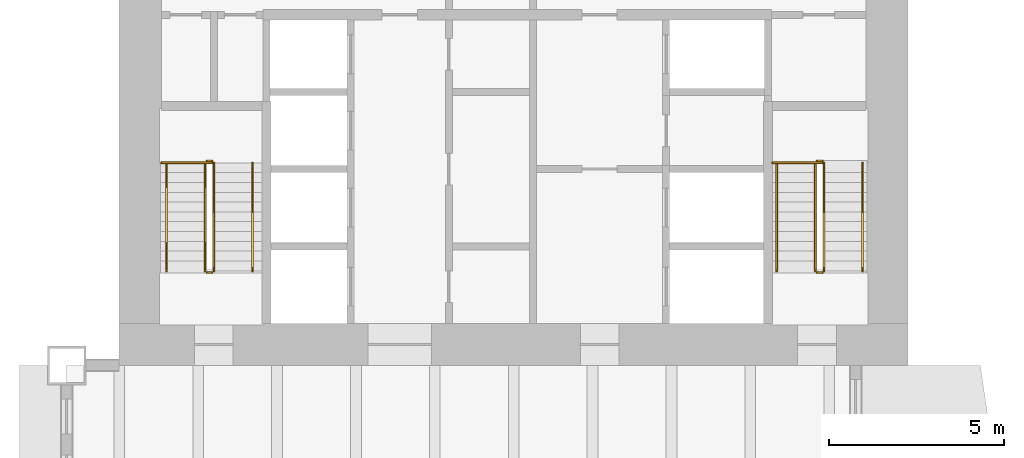
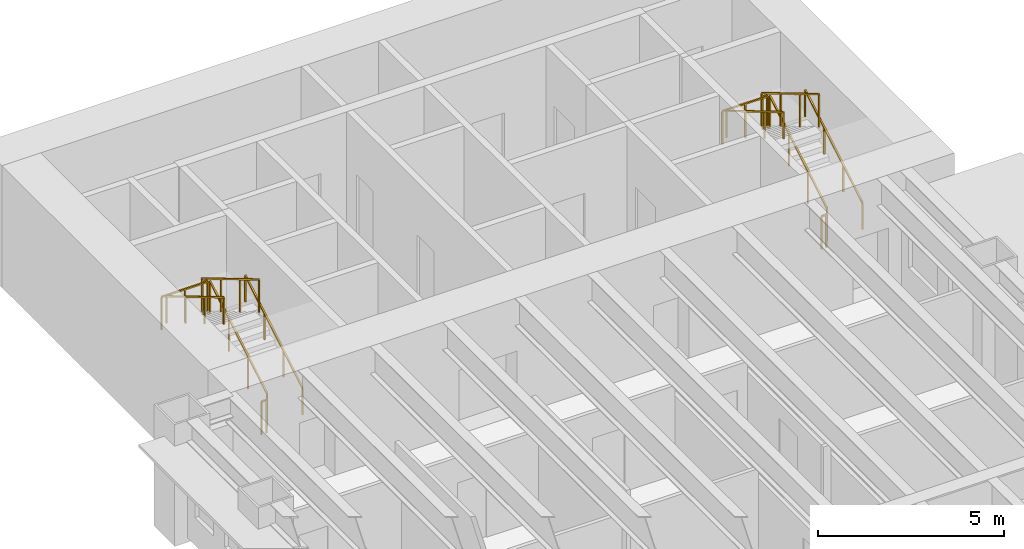
# One storey, part 17 of 17: 14 railings.
"""IFC4 building model written with IfcOpenShell, lengths in metres."""

from ifc_helpers import new_model, si_unit, direction, frame, origin, origin_2d, place, context, subcontext, project, spatial, rectangle, extrude, material, type_object, element, save


model = new_model("IFC4")

# Units and contexts
model_context = context("Model", 3, precision=1e-05, world=origin(), true_north=direction((0.0, 1.0)))
body_context = subcontext(model_context, "Body", "Model", "MODEL_VIEW")
ifc_project = project(units=[si_unit("LENGTHUNIT", "METRE"), si_unit("AREAUNIT", "SQUARE_METRE"), si_unit("VOLUMEUNIT", "CUBIC_METRE"), si_unit("PLANEANGLEUNIT", "RADIAN"), si_unit("MASSUNIT", "GRAM", prefix="KILO")], contexts=[model_context])

# Site, building, storey
site_placement = place(None, origin())
site = spatial("IfcSite", under=ifc_project, at=site_placement, CompositionType="ELEMENT")
building_placement = place(site_placement, origin())
building = spatial("IfcBuilding", under=site, at=building_placement, Name="Sennacour Bend Tower", CompositionType="ELEMENT")
storey_placement = place(building_placement, frame((0.0, 0.0, 53.0)))
storey = spatial("IfcBuildingStorey", under=building, at=storey_placement, Name="L11", CompositionType="ELEMENT", Elevation=53.0)

# Railings
ifc_material = material(Name="Stainless steel", Category="steel")
railing_type_1 = type_object("IfcRailingType", Name="RL-GUARD-1100", PredefinedType="GUARDRAIL", material=ifc_material)
railing_1_placement = place(storey_placement, frame((2.699951171875, 38.699951171875, 0.166748046875)))
element("IfcRailing", 1, at=railing_1_placement, inside=storey, type_object=railing_type_1, Name="L11 SB1 stair guard 1", PredefinedType="GUARDRAIL", context=body_context, shape_type="SweptSolid", body=[
    extrude(rectangle(XDim=0.048095703125, YDim=0.048095703125, at=origin_2d()), frame((0.0, 0.0, 1.076171875), z_axis=(0.0, 0.859308565015, 0.511457515432), x_axis=(-1.0, 0.0, 0.0)), (0.0, 0.0, 1.0), 3.58447265625),
    extrude(rectangle(XDim=0.0419921875, YDim=0.0419921875, at=origin_2d()), origin(), (0.0, 0.0, 1.0), 1.052001953125),
    extrude(rectangle(XDim=0.0419921875, YDim=0.0419921875, at=origin_2d()), frame((0.0, 1.026611328125, 0.611083984375)), (0.0, 0.0, 1.0), 1.052001953125),
    extrude(rectangle(XDim=0.0419921875, YDim=0.0419921875, at=origin_2d()), frame((0.0, 2.053466796875, 1.22216796875)), (0.0, 0.0, 1.0), 1.052001953125),
    extrude(rectangle(XDim=0.0419921875, YDim=0.0419921875, at=origin_2d()), frame((0.0, 3.080078125, 1.833251953125)), (0.0, 0.0, 1.0), 1.052001953125),
])
railing_2_placement = place(storey_placement, frame((2.64990234375, 41.830078125, 2.0)))
element("IfcRailing", 2, at=railing_2_placement, inside=storey, type_object=railing_type_1, Name="L11 SB1 stair guard 2", PredefinedType="GUARDRAIL", context=body_context, shape_type="SweptSolid", body=[
    extrude(rectangle(XDim=0.048095703125, YDim=0.048095703125, at=origin_2d()), frame((0.0, 0.0, 1.076171875), z_axis=(-1.0, 0.0, 0.0), x_axis=(0.0, -1.0, 0.0)), (0.0, 0.0, 1.0), 0.14990234375),
    extrude(rectangle(XDim=0.0419921875, YDim=0.0419921875, at=origin_2d()), origin(), (0.0, 0.0, 1.0), 1.052001953125),
    extrude(rectangle(XDim=0.0419921875, YDim=0.0419921875, at=origin_2d()), frame((-0.14990234375, 0.0, 0.0)), (0.0, 0.0, 1.0), 1.052001953125),
])
railing_3_placement = place(storey_placement, frame((2.449951171875, 41.780029296875, 2.166748046875)))
element("IfcRailing", 3, at=railing_3_placement, inside=storey, type_object=railing_type_1, Name="L11 SB1 stair guard 4", PredefinedType="GUARDRAIL", context=body_context, shape_type="SweptSolid", body=[
    extrude(rectangle(XDim=0.048095703125, YDim=0.048095703125, at=origin_2d()), frame((0.0, 0.0, 1.076171875), z_axis=(0.0, -0.859308565015, 0.511457515432), x_axis=(1.0, 0.0, 0.0)), (0.0, 0.0, 1.0), 3.58447265625),
    extrude(rectangle(XDim=0.0419921875, YDim=0.0419921875, at=origin_2d()), origin(), (0.0, 0.0, 1.0), 1.052001953125),
    extrude(rectangle(XDim=0.0419921875, YDim=0.0419921875, at=origin_2d()), frame((0.0, -1.026611328125, 0.611083984375)), (0.0, 0.0, 1.0), 1.052001953125),
    extrude(rectangle(XDim=0.0419921875, YDim=0.0419921875, at=origin_2d()), frame((0.0, -2.053466796875, 1.22216796875)), (0.0, 0.0, 1.0), 1.052001953125),
    extrude(rectangle(XDim=0.0419921875, YDim=0.0419921875, at=origin_2d()), frame((0.0, -3.080078125, 1.833251953125)), (0.0, 0.0, 1.0), 1.052001953125),
])
railing_4_placement = place(storey_placement, frame((2.64990234375, 38.64990234375, 0.0)))
element("IfcRailing", 4, at=railing_4_placement, inside=storey, type_object=railing_type_1, Name="L11 SB1 stair guard 5", PredefinedType="GUARDRAIL", context=body_context, shape_type="SweptSolid", body=[
    extrude(rectangle(XDim=0.048095703125, YDim=0.048095703125, at=origin_2d()), frame((0.0, 0.0, 1.076171875), z_axis=(-1.0, 0.0, 0.0), x_axis=(0.0, -1.0, 0.0)), (0.0, 0.0, 1.0), 0.14990234375),
    extrude(rectangle(XDim=0.0419921875, YDim=0.0419921875, at=origin_2d()), origin(), (0.0, 0.0, 1.0), 1.052001953125),
    extrude(rectangle(XDim=0.0419921875, YDim=0.0419921875, at=origin_2d()), frame((-0.14990234375, 0.0, 0.0)), (0.0, 0.0, 1.0), 1.052001953125),
])
railing_5_placement = place(storey_placement, frame((2.64990234375, 41.780029296875, 2.0)))
element("IfcRailing", 5, at=railing_5_placement, inside=storey, type_object=railing_type_1, Name="L11 SB1 landing edge guard 30", PredefinedType="GUARDRAIL", context=body_context, shape_type="SweptSolid", body=[
    extrude(rectangle(XDim=0.048095703125, YDim=0.048095703125, at=origin_2d()), frame((0.0, 0.0, 1.076171875), z_axis=(-1.0, 0.0, 0.0), x_axis=(0.0, -1.0, 0.0)), (0.0, 0.0, 1.0), 1.449951171875),
    extrude(rectangle(XDim=0.0419921875, YDim=0.0419921875, at=origin_2d()), origin(), (0.0, 0.0, 1.0), 1.052001953125),
    extrude(rectangle(XDim=0.0419921875, YDim=0.0419921875, at=origin_2d()), frame((-0.72509765625, 0.0, 0.0)), (0.0, 0.0, 1.0), 1.052001953125),
    extrude(rectangle(XDim=0.0419921875, YDim=0.0419921875, at=origin_2d()), frame((-1.449951171875, 0.0, 0.0)), (0.0, 0.0, 1.0), 1.052001953125),
])
railing_6_placement = place(storey_placement, frame((20.10009765625, 38.699951171875, 0.166748046875)))
element("IfcRailing", 6, at=railing_6_placement, inside=storey, type_object=railing_type_1, Name="L11 SB2 stair guard 1", PredefinedType="GUARDRAIL", context=body_context, shape_type="SweptSolid", body=[
    extrude(rectangle(XDim=0.048095703125, YDim=0.048095703125, at=origin_2d()), frame((0.0, 0.0, 1.076171875), z_axis=(0.0, 0.859308565015, 0.511457515432), x_axis=(-1.0, 0.0, 0.0)), (0.0, 0.0, 1.0), 3.58447265625),
    extrude(rectangle(XDim=0.0419921875, YDim=0.0419921875, at=origin_2d()), origin(), (0.0, 0.0, 1.0), 1.052001953125),
    extrude(rectangle(XDim=0.0419921875, YDim=0.0419921875, at=origin_2d()), frame((0.0, 1.026611328125, 0.611083984375)), (0.0, 0.0, 1.0), 1.052001953125),
    extrude(rectangle(XDim=0.0419921875, YDim=0.0419921875, at=origin_2d()), frame((0.0, 2.053466796875, 1.22216796875)), (0.0, 0.0, 1.0), 1.052001953125),
    extrude(rectangle(XDim=0.0419921875, YDim=0.0419921875, at=origin_2d()), frame((0.0, 3.080078125, 1.833251953125)), (0.0, 0.0, 1.0), 1.052001953125),
])
railing_7_placement = place(storey_placement, frame((20.050048828125, 41.830078125, 2.0)))
element("IfcRailing", 7, at=railing_7_placement, inside=storey, type_object=railing_type_1, Name="L11 SB2 stair guard 2", PredefinedType="GUARDRAIL", context=body_context, shape_type="SweptSolid", body=[
    extrude(rectangle(XDim=0.048095703125, YDim=0.048095703125, at=origin_2d()), frame((0.0, 0.0, 1.076171875), z_axis=(-1.0, 0.0, 0.0), x_axis=(0.0, -1.0, 0.0)), (0.0, 0.0, 1.0), 0.150146484375),
    extrude(rectangle(XDim=0.0419921875, YDim=0.0419921875, at=origin_2d()), origin(), (0.0, 0.0, 1.0), 1.052001953125),
    extrude(rectangle(XDim=0.0419921875, YDim=0.0419921875, at=origin_2d()), frame((-0.150146484375, 0.0, 0.0)), (0.0, 0.0, 1.0), 1.052001953125),
])
railing_8_placement = place(storey_placement, frame((19.85009765625, 41.780029296875, 2.166748046875)))
element("IfcRailing", 8, at=railing_8_placement, inside=storey, type_object=railing_type_1, Name="L11 SB2 stair guard 4", PredefinedType="GUARDRAIL", context=body_context, shape_type="SweptSolid", body=[
    extrude(rectangle(XDim=0.048095703125, YDim=0.048095703125, at=origin_2d()), frame((0.0, 0.0, 1.076171875), z_axis=(0.0, -0.859308565015, 0.511457515432), x_axis=(1.0, 0.0, 0.0)), (0.0, 0.0, 1.0), 3.58447265625),
    extrude(rectangle(XDim=0.0419921875, YDim=0.0419921875, at=origin_2d()), origin(), (0.0, 0.0, 1.0), 1.052001953125),
    extrude(rectangle(XDim=0.0419921875, YDim=0.0419921875, at=origin_2d()), frame((0.0, -1.026611328125, 0.611083984375)), (0.0, 0.0, 1.0), 1.052001953125),
    extrude(rectangle(XDim=0.0419921875, YDim=0.0419921875, at=origin_2d()), frame((0.0, -2.053466796875, 1.22216796875)), (0.0, 0.0, 1.0), 1.052001953125),
    extrude(rectangle(XDim=0.0419921875, YDim=0.0419921875, at=origin_2d()), frame((0.0, -3.080078125, 1.833251953125)), (0.0, 0.0, 1.0), 1.052001953125),
])
railing_9_placement = place(storey_placement, frame((20.050048828125, 38.64990234375, 0.0)))
element("IfcRailing", 9, at=railing_9_placement, inside=storey, type_object=railing_type_1, Name="L11 SB2 stair guard 5", PredefinedType="GUARDRAIL", context=body_context, shape_type="SweptSolid", body=[
    extrude(rectangle(XDim=0.048095703125, YDim=0.048095703125, at=origin_2d()), frame((0.0, 0.0, 1.076171875), z_axis=(-1.0, 0.0, 0.0), x_axis=(0.0, -1.0, 0.0)), (0.0, 0.0, 1.0), 0.150146484375),
    extrude(rectangle(XDim=0.0419921875, YDim=0.0419921875, at=origin_2d()), origin(), (0.0, 0.0, 1.0), 1.052001953125),
    extrude(rectangle(XDim=0.0419921875, YDim=0.0419921875, at=origin_2d()), frame((-0.150146484375, 0.0, 0.0)), (0.0, 0.0, 1.0), 1.052001953125),
])
railing_10_placement = place(storey_placement, frame((20.050048828125, 41.780029296875, 2.0)))
element("IfcRailing", 10, at=railing_10_placement, inside=storey, type_object=railing_type_1, Name="L11 SB2 landing edge guard 22", PredefinedType="GUARDRAIL", context=body_context, shape_type="SweptSolid", body=[
    extrude(rectangle(XDim=0.048095703125, YDim=0.048095703125, at=origin_2d()), frame((0.0, 0.0, 1.076171875), z_axis=(-1.0, 0.0, 0.0), x_axis=(0.0, -1.0, 0.0)), (0.0, 0.0, 1.0), 1.425048828125),
    extrude(rectangle(XDim=0.0419921875, YDim=0.0419921875, at=origin_2d()), origin(), (0.0, 0.0, 1.0), 1.052001953125),
    extrude(rectangle(XDim=0.0419921875, YDim=0.0419921875, at=origin_2d()), frame((-0.71240234375, 0.0, 0.0)), (0.0, 0.0, 1.0), 1.052001953125),
    extrude(rectangle(XDim=0.0419921875, YDim=0.0419921875, at=origin_2d()), frame((-1.425048828125, 0.0, 0.0)), (0.0, 0.0, 1.0), 1.052001953125),
])
railing_type_2 = type_object("IfcRailingType", Name="RL-HANDRAIL-900", PredefinedType="HANDRAIL", material=ifc_material)
railing_11_placement = place(storey_placement, frame((3.800048828125, 38.699951171875, 0.166748046875)))
element("IfcRailing", 11, at=railing_11_placement, inside=storey, type_object=railing_type_2, Name="L11 SB1 stair handrail 1", PredefinedType="HANDRAIL", context=body_context, shape_type="SweptSolid", body=[
    extrude(rectangle(XDim=0.048095703125, YDim=0.048095703125, at=origin_2d()), frame((0.0, 0.0, 0.8759765625), z_axis=(0.0, 0.859308565015, 0.511457515432), x_axis=(-1.0, 0.0, 0.0)), (0.0, 0.0, 1.0), 3.58447265625),
    extrude(rectangle(XDim=0.0419921875, YDim=0.0419921875, at=origin_2d()), origin(), (0.0, 0.0, 1.0), 0.851806640625),
    extrude(rectangle(XDim=0.0419921875, YDim=0.0419921875, at=origin_2d()), frame((0.0, 1.026611328125, 0.611083984375)), (0.0, 0.0, 1.0), 0.851806640625),
    extrude(rectangle(XDim=0.0419921875, YDim=0.0419921875, at=origin_2d()), frame((0.0, 2.053466796875, 1.22216796875)), (0.0, 0.0, 1.0), 0.851806640625),
    extrude(rectangle(XDim=0.0419921875, YDim=0.0419921875, at=origin_2d()), frame((0.0, 3.080078125, 1.833251953125)), (0.0, 0.0, 1.0), 0.851806640625),
])
railing_12_placement = place(storey_placement, frame((1.35009765625, 41.780029296875, 2.166748046875)))
element("IfcRailing", 12, at=railing_12_placement, inside=storey, type_object=railing_type_2, Name="L11 SB1 stair handrail 2", PredefinedType="HANDRAIL", context=body_context, shape_type="SweptSolid", body=[
    extrude(rectangle(XDim=0.048095703125, YDim=0.048095703125, at=origin_2d()), frame((0.0, 0.0, 0.8759765625), z_axis=(0.0, -0.859308565015, 0.511457515432), x_axis=(1.0, 0.0, 0.0)), (0.0, 0.0, 1.0), 3.58447265625),
    extrude(rectangle(XDim=0.0419921875, YDim=0.0419921875, at=origin_2d()), origin(), (0.0, 0.0, 1.0), 0.851806640625),
    extrude(rectangle(XDim=0.0419921875, YDim=0.0419921875, at=origin_2d()), frame((0.0, -1.026611328125, 0.611083984375)), (0.0, 0.0, 1.0), 0.851806640625),
    extrude(rectangle(XDim=0.0419921875, YDim=0.0419921875, at=origin_2d()), frame((0.0, -2.053466796875, 1.22216796875)), (0.0, 0.0, 1.0), 0.851806640625),
    extrude(rectangle(XDim=0.0419921875, YDim=0.0419921875, at=origin_2d()), frame((0.0, -3.080078125, 1.833251953125)), (0.0, 0.0, 1.0), 0.851806640625),
])
railing_13_placement = place(storey_placement, frame((21.199951171875, 38.699951171875, 0.166748046875)))
element("IfcRailing", 13, at=railing_13_placement, inside=storey, type_object=railing_type_2, Name="L11 SB2 stair handrail 1", PredefinedType="HANDRAIL", context=body_context, shape_type="SweptSolid", body=[
    extrude(rectangle(XDim=0.048095703125, YDim=0.048095703125, at=origin_2d()), frame((0.0, 0.0, 0.8759765625), z_axis=(0.0, 0.859308565015, 0.511457515432), x_axis=(-1.0, 0.0, 0.0)), (0.0, 0.0, 1.0), 3.58447265625),
    extrude(rectangle(XDim=0.0419921875, YDim=0.0419921875, at=origin_2d()), origin(), (0.0, 0.0, 1.0), 0.851806640625),
    extrude(rectangle(XDim=0.0419921875, YDim=0.0419921875, at=origin_2d()), frame((0.0, 1.026611328125, 0.611083984375)), (0.0, 0.0, 1.0), 0.851806640625),
    extrude(rectangle(XDim=0.0419921875, YDim=0.0419921875, at=origin_2d()), frame((0.0, 2.053466796875, 1.22216796875)), (0.0, 0.0, 1.0), 0.851806640625),
    extrude(rectangle(XDim=0.0419921875, YDim=0.0419921875, at=origin_2d()), frame((0.0, 3.080078125, 1.833251953125)), (0.0, 0.0, 1.0), 0.851806640625),
])
railing_14_placement = place(storey_placement, frame((18.75, 41.780029296875, 2.166748046875)))
element("IfcRailing", 14, at=railing_14_placement, inside=storey, type_object=railing_type_2, Name="L11 SB2 stair handrail 2", PredefinedType="HANDRAIL", context=body_context, shape_type="SweptSolid", body=[
    extrude(rectangle(XDim=0.048095703125, YDim=0.048095703125, at=origin_2d()), frame((0.0, 0.0, 0.8759765625), z_axis=(0.0, -0.859308565015, 0.511457515432), x_axis=(1.0, 0.0, 0.0)), (0.0, 0.0, 1.0), 3.58447265625),
    extrude(rectangle(XDim=0.0419921875, YDim=0.0419921875, at=origin_2d()), origin(), (0.0, 0.0, 1.0), 0.851806640625),
    extrude(rectangle(XDim=0.0419921875, YDim=0.0419921875, at=origin_2d()), frame((0.0, -1.026611328125, 0.611083984375)), (0.0, 0.0, 1.0), 0.851806640625),
    extrude(rectangle(XDim=0.0419921875, YDim=0.0419921875, at=origin_2d()), frame((0.0, -2.053466796875, 1.22216796875)), (0.0, 0.0, 1.0), 0.851806640625),
    extrude(rectangle(XDim=0.0419921875, YDim=0.0419921875, at=origin_2d()), frame((0.0, -3.080078125, 1.833251953125)), (0.0, 0.0, 1.0), 0.851806640625),
])

save(model, "model.ifc")
